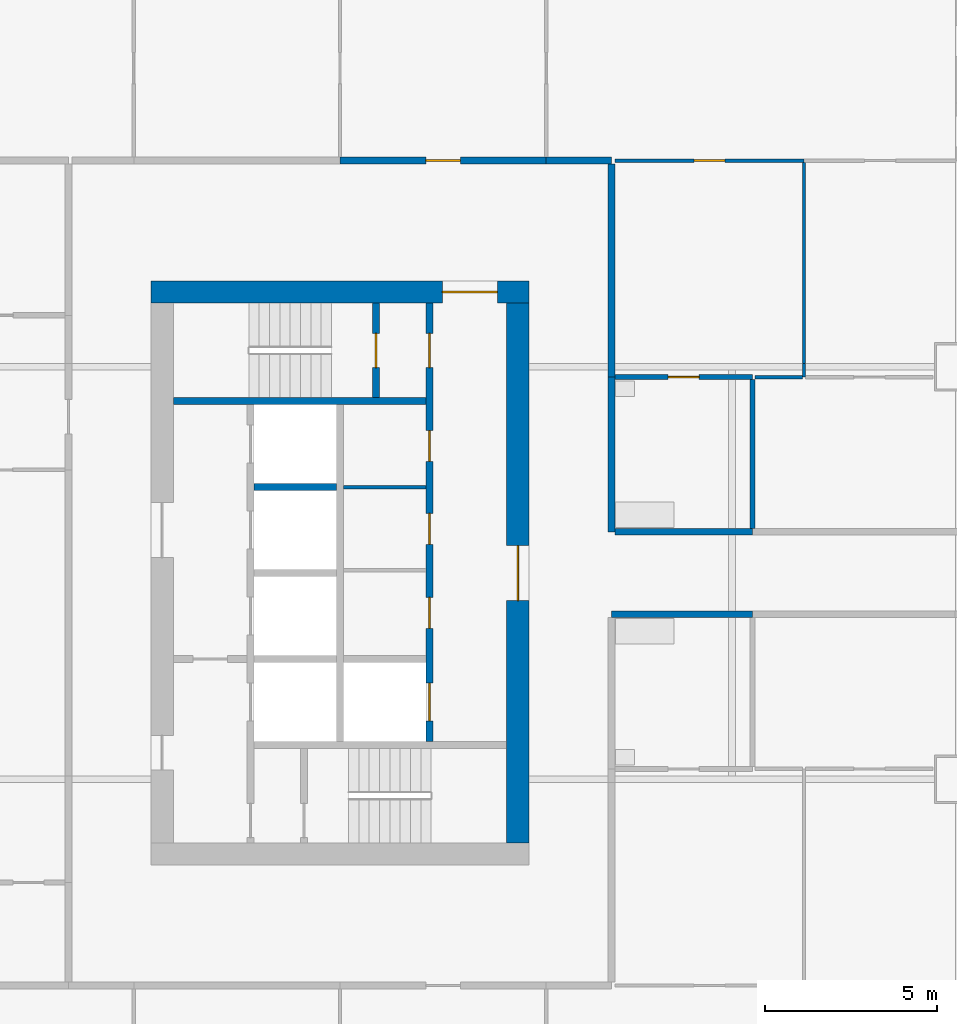
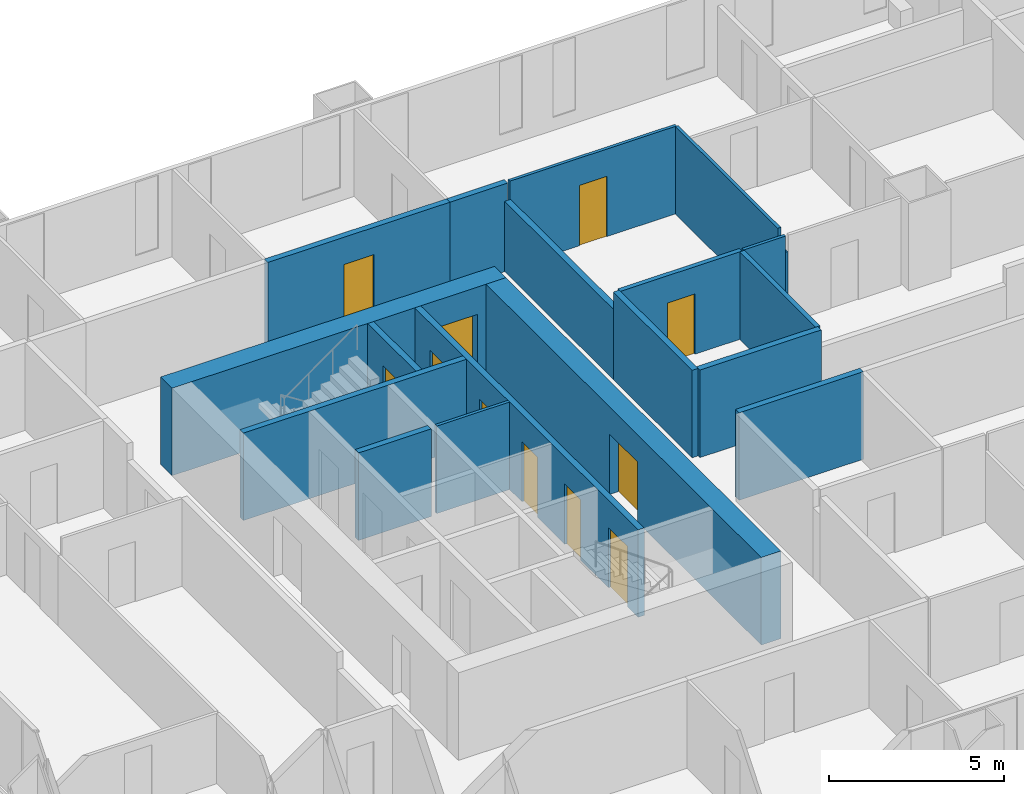
# One storey, part 4 of 11: 19 walls, 11 doors, 11 openings.
"""IFC4 building model written with IfcOpenShell, lengths in metres."""

from ifc_helpers import new_model, si_unit, direction, frame, frame_2d, origin, place, context, subcontext, project, spatial, rectangle, extrude, material, layer, layer_set, type_object, element, fill, save


model = new_model("IFC4")

# Units and contexts
model_context = context("Model", 3, precision=1e-05, world=origin(), true_north=direction((0.0, 1.0)))
body_context = subcontext(model_context, "Body", "Model", "MODEL_VIEW")
ifc_project = project(units=[si_unit("LENGTHUNIT", "METRE"), si_unit("AREAUNIT", "SQUARE_METRE"), si_unit("VOLUMEUNIT", "CUBIC_METRE"), si_unit("PLANEANGLEUNIT", "RADIAN"), si_unit("MASSUNIT", "GRAM", prefix="KILO")], contexts=[model_context])

# Site, building, storey
site_placement = place(None, origin())
site = spatial("IfcSite", under=ifc_project, at=site_placement, CompositionType="ELEMENT")
building_placement = place(site_placement, origin())
building = spatial("IfcBuilding", under=site, at=building_placement, Name="Kitamizu Gate Tower and Museum", CompositionType="ELEMENT")
storey_placement = place(building_placement, frame((0.0, 0.0, 124.199951171875)))
storey = spatial("IfcBuildingStorey", under=building, at=storey_placement, Name="L32", CompositionType="ELEMENT", Elevation=124.199951171875)

# Wall, opening, door
ifc_material_1 = material(Name="Concrete Fc60", Category="concrete")
ifc_layer_1 = layer(ifc_material_1, 0.64990234375)
ifc_layer_set_1 = layer_set([ifc_layer_1], Name="Concrete Fc60")
wall_type_1 = type_object("IfcWallType", Name="Core wall 650", PredefinedType="SHEAR", material=ifc_layer_set_1)
wall_1_placement = place(storey_placement, frame((12.5, 38.175048828125, 0.0), z_axis=(0.0, 0.0, 1.0), x_axis=(1.0, 0.0, 0.0)))
wall_1 = element("IfcWall", 1, at=wall_1_placement, inside=storey, type_object=wall_type_1, Name="Core wall WN", PredefinedType="SHEAR", context=body_context, shape_type="SweptSolid", body=[
    extrude(rectangle(XDim=11.0, YDim=0.64990234375, at=frame_2d((5.5, 0.0))), origin(), (0.0, 0.0, 1.0), 3.050048828125),
])
opening_1_placement = place(wall_1_placement, frame((8.47509765625, 0.0, 0.0)))
opening_1 = element("IfcOpeningElement", 2, at=opening_1_placement, cuts=wall_1, Name="Opening L32-055", PredefinedType="OPENING", context=body_context, shape_type="SweptSolid", body=[
    extrude(rectangle(XDim=1.60009765625, YDim=2.10009765625, at=frame_2d((0.800048828125, 1.050048828125))), frame((0.0, 0.3349609375, 0.0), z_axis=(0.0, -1.0, 0.0), x_axis=(1.0, 0.0, 0.0)), (0.0, 0.0, 1.0), 0.669921875),
])
ifc_material_2 = material(Name="Timber door set", Category="wood")
door_type_1 = type_object("IfcDoorType", Name="Entrance door 1600", OperationType="DOUBLE_DOOR_SINGLE_SWING", PredefinedType="DOOR", material=ifc_material_2)
door_1_placement = place(opening_1_placement, origin())
door_1 = element("IfcDoor", 3, at=door_1_placement, inside=storey, type_object=door_type_1, Name="Lobby door L32-055", OperationType="DOUBLE_DOOR_SINGLE_SWING", OverallHeight=2.10009765625, OverallWidth=1.60009765625, PredefinedType="DOOR", context=body_context, shape_type="SweptSolid", body=[
    extrude(rectangle(XDim=1.60009765625, YDim=2.10009765625, at=frame_2d((0.800048828125, 1.050048828125))), frame((0.0, 0.02490234375, 0.0), z_axis=(0.0, -1.0, 0.0), x_axis=(1.0, 0.0, 0.0)), (0.0, 0.0, 1.0), 0.050048828125),
])
fill(opening_1, door_1)

wall_2_placement = place(storey_placement, frame((23.175048828125, 22.14990234375, 0.0), z_axis=(0.0, 0.0, 1.0), x_axis=(0.0, 1.0, 0.0)))
wall_2 = element("IfcWall", 4, at=wall_2_placement, inside=storey, type_object=wall_type_1, Name="Core wall WARC", PredefinedType="SHEAR", context=body_context, shape_type="SweptSolid", body=[
    extrude(rectangle(XDim=15.7001953125, YDim=0.64990234375, at=frame_2d((7.85009765625, 0.0))), origin(), (0.0, 0.0, 1.0), 3.050048828125),
])
opening_2_placement = place(wall_2_placement, frame((7.050048828125, 0.0, 0.0)))
opening_2 = element("IfcOpeningElement", 5, at=opening_2_placement, cuts=wall_2, Name="Opening L32-056", PredefinedType="OPENING", context=body_context, shape_type="SweptSolid", body=[
    extrude(rectangle(XDim=1.60009765625, YDim=2.10009765625, at=frame_2d((0.800048828125, 1.050048828125))), frame((0.0, 0.3349609375, 0.0), z_axis=(0.0, -1.0, 0.0), x_axis=(1.0, 0.0, 0.0)), (0.0, 0.0, 1.0), 0.669921875),
])
door_2_placement = place(opening_2_placement, origin())
door_2 = element("IfcDoor", 6, at=door_2_placement, inside=storey, type_object=door_type_1, Name="Lobby door L32-056", OperationType="DOUBLE_DOOR_SINGLE_SWING", OverallHeight=2.10009765625, OverallWidth=1.60009765625, PredefinedType="DOOR", context=body_context, shape_type="SweptSolid", body=[
    extrude(rectangle(XDim=1.60009765625, YDim=2.10009765625, at=frame_2d((0.800048828125, 1.050048828125))), frame((0.0, 0.02490234375, 0.0), z_axis=(0.0, -1.0, 0.0), x_axis=(1.0, 0.0, 0.0)), (0.0, 0.0, 1.0), 0.050048828125),
])
fill(opening_2, door_2)

# Wall
ifc_material_3 = material(Name="Gypsum board on galvanised stud")
ifc_layer_2 = layer(ifc_material_3, 0.10009765625)
ifc_layer_set_2 = layer_set([ifc_layer_2], Name="Gypsum board on galvanised stud")
wall_type_2 = type_object("IfcWallType", Name="Partition 100", PredefinedType="PARTITIONING", material=ifc_layer_set_2)
wall_3_placement = place(storey_placement, frame((18.10009765625, 32.490966796875, 0.0), z_axis=(0.0, 0.0, 1.0), x_axis=(1.0, 0.0, 0.0)))
element("IfcWall", 7, at=wall_3_placement, inside=storey, type_object=wall_type_2, Name="Partition WPF2", PredefinedType="PARTITIONING", context=body_context, shape_type="SweptSolid", body=[
    extrude(rectangle(XDim=2.39990234375, YDim=0.10009765625, at=frame_2d((1.199951171875, 0.0))), origin(), (0.0, 0.0, 1.0), 3.050048828125),
])

# Wall, opening, door
ifc_material_4 = material(Name="Gypsum board on galvanised stud")
ifc_layer_3 = layer(ifc_material_4, 0.10009765625)
ifc_layer_set_3 = layer_set([ifc_layer_3], Name="Gypsum board on galvanised stud")
wall_type_3 = type_object("IfcWallType", Name="Partition 100 NOT RATED", PredefinedType="PARTITIONING", material=ifc_layer_set_3)
wall_4_placement = place(storey_placement, frame((26.0, 42.0, 0.0), z_axis=(0.0, 0.0, 1.0), x_axis=(1.0, 0.0, 0.0)))
wall_4 = element("IfcWall", 8, at=wall_4_placement, inside=storey, type_object=wall_type_3, Name="Partition L32-062", PredefinedType="PARTITIONING", context=body_context, shape_type="SweptSolid", body=[
    extrude(rectangle(XDim=5.5, YDim=0.10009765625, at=frame_2d((2.75, 0.0))), origin(), (0.0, 0.0, 1.0), 3.050048828125),
])
opening_3_placement = place(wall_4_placement, frame((2.300048828125, 0.0, 0.0)))
opening_3 = element("IfcOpeningElement", 9, at=opening_3_placement, cuts=wall_4, Name="Opening L32-022", PredefinedType="OPENING", context=body_context, shape_type="SweptSolid", body=[
    extrude(rectangle(XDim=0.89990234375, YDim=2.10009765625, at=frame_2d((0.449951171875, 1.050048828125))), frame((0.0, 0.06005859375, 0.0), z_axis=(0.0, -1.0, 0.0), x_axis=(1.0, 0.0, 0.0)), (0.0, 0.0, 1.0), 0.1201171875),
])
ifc_material_5 = material(Name="Timber door set", Category="wood")
door_type_2 = type_object("IfcDoorType", Name="Room door 900", OperationType="NOTDEFINED", PredefinedType="DOOR", material=ifc_material_5)
door_3_placement = place(opening_3_placement, frame((0.89990234375, 0.0, 0.0), x_axis=(-1.0, 0.0, 0.0)))
door_3 = element("IfcDoor", 10, at=door_3_placement, inside=storey, type_object=door_type_2, Name="Door L32-022", OperationType="SINGLE_SWING_RIGHT", OverallHeight=2.10009765625, OverallWidth=0.89990234375, PredefinedType="DOOR", context=body_context, shape_type="SweptSolid", body=[
    extrude(rectangle(XDim=0.89990234375, YDim=2.10009765625, at=frame_2d((0.449951171875, 1.050048828125))), frame((0.0, 0.02490234375, 0.0), z_axis=(0.0, -1.0, 0.0), x_axis=(1.0, 0.0, 0.0)), (0.0, 0.0, 1.0), 0.050048828125),
])
fill(opening_3, door_3)

# Walls
wall_5_placement = place(storey_placement, frame((31.5, 35.699951171875, 0.0), z_axis=(0.0, 0.0, 1.0), x_axis=(0.0, 1.0, 0.0)))
element("IfcWall", 11, at=wall_5_placement, inside=storey, type_object=wall_type_3, Name="Partition L32-070", PredefinedType="PARTITIONING", context=body_context, shape_type="SweptSolid", body=[
    extrude(rectangle(XDim=0.400146484375, YDim=0.10009765625, at=frame_2d((0.2001953125, 0.0))), origin(), (0.0, 0.0, 1.0), 2.449951171875),
])
wall_6_placement = place(storey_placement, frame((31.5, 36.10009765625, 0.0), z_axis=(0.0, 0.0, 1.0), x_axis=(0.0, 1.0, 0.0)))
element("IfcWall", 12, at=wall_6_placement, inside=storey, type_object=wall_type_3, Name="Partition L32-071", PredefinedType="PARTITIONING", context=body_context, shape_type="SweptSolid", body=[
    extrude(rectangle(XDim=5.849853515625, YDim=0.10009765625, at=frame_2d((2.9248046875, 0.0))), origin(), (0.0, 0.0, 1.0), 3.050048828125),
])
wall_7_placement = place(storey_placement, frame((30.074951171875, 35.699951171875, 0.0), z_axis=(0.0, 0.0, 1.0), x_axis=(1.0, 0.0, 0.0)))
element("IfcWall", 13, at=wall_7_placement, inside=storey, type_object=wall_type_3, Name="Partition L32-073", PredefinedType="PARTITIONING", context=body_context, shape_type="SweptSolid", body=[
    extrude(rectangle(XDim=1.375, YDim=0.10009765625, at=frame_2d((0.6875, 0.0))), origin(), (0.0, 0.0, 1.0), 3.050048828125),
])

# Wall, opening, door
ifc_material_6 = material(Name="Gypsum board on galvanised stud")
ifc_layer_4 = layer(ifc_material_6, 0.14990234375)
ifc_layer_set_4 = layer_set([ifc_layer_4], Name="Gypsum board on galvanised stud")
wall_type_4 = type_object("IfcWallType", Name="Partition 150", PredefinedType="PARTITIONING", material=ifc_layer_set_4)
wall_8_placement = place(storey_placement, frame((26.0, 35.699951171875, 0.0), z_axis=(0.0, 0.0, 1.0), x_axis=(1.0, 0.0, 0.0)))
wall_8 = element("IfcWall", 14, at=wall_8_placement, inside=storey, type_object=wall_type_4, Name="Partition L32-072", PredefinedType="PARTITIONING", context=body_context, shape_type="SweptSolid", body=[
    extrude(rectangle(XDim=4.0, YDim=0.14990234375, at=frame_2d((2.0, 0.0))), origin(), (0.0, 0.0, 1.0), 3.050048828125),
])
opening_4_placement = place(wall_8_placement, frame((1.550048828125, 0.0, 0.0)))
opening_4 = element("IfcOpeningElement", 15, at=opening_4_placement, cuts=wall_8, Name="Opening L32-028", PredefinedType="OPENING", context=body_context, shape_type="SweptSolid", body=[
    extrude(rectangle(XDim=0.89990234375, YDim=2.10009765625, at=frame_2d((0.449951171875, 1.050048828125))), frame((0.0, 0.0849609375, 0.0), z_axis=(0.0, -1.0, 0.0), x_axis=(1.0, 0.0, 0.0)), (0.0, 0.0, 1.0), 0.169921875),
])
ifc_material_7 = material(Name="Timber door set", Category="wood")
door_type_3 = type_object("IfcDoorType", Name="Bathroom door 900", OperationType="NOTDEFINED", PredefinedType="DOOR", material=ifc_material_7)
door_4_placement = place(opening_4_placement, frame((0.89990234375, 0.0, 0.0), x_axis=(-1.0, 0.0, 0.0)))
door_4 = element("IfcDoor", 16, at=door_4_placement, inside=storey, type_object=door_type_3, Name="Bathroom door L32-028", OperationType="SINGLE_SWING_RIGHT", OverallHeight=2.10009765625, OverallWidth=0.89990234375, PredefinedType="DOOR", context=body_context, shape_type="SweptSolid", body=[
    extrude(rectangle(XDim=0.89990234375, YDim=2.10009765625, at=frame_2d((0.449951171875, 1.050048828125))), frame((0.0, 0.02490234375, 0.0), z_axis=(0.0, -1.0, 0.0), x_axis=(1.0, 0.0, 0.0)), (0.0, 0.0, 1.0), 0.050048828125),
])
fill(opening_4, door_4)

# Walls
wall_9_placement = place(storey_placement, frame((30.0, 31.300048828125, 0.0), z_axis=(0.0, 0.0, 1.0), x_axis=(0.0, 1.0, 0.0)))
element("IfcWall", 17, at=wall_9_placement, inside=storey, type_object=wall_type_4, Name="Partition L32-080", PredefinedType="PARTITIONING", context=body_context, shape_type="SweptSolid", body=[
    extrude(rectangle(XDim=4.324951171875, YDim=0.14990234375, at=frame_2d((2.16259765625, 0.0))), origin(), (0.0, 0.0, 1.0), 3.050048828125),
])
ifc_material_8 = material(Name="Gypsum board on galvanised stud")
ifc_layer_5 = layer(ifc_material_8, 0.199951171875)
ifc_layer_set_5 = layer_set([ifc_layer_5], Name="Gypsum board on galvanised stud")
wall_type_5 = type_object("IfcWallType", Name="Partition 200", PredefinedType="PARTITIONING", material=ifc_layer_set_5)
wall_10_placement = place(storey_placement, frame((30.0, 28.800048828125, 0.0), z_axis=(0.0, 0.0, 1.0), x_axis=(-1.0, 0.0, 0.0)))
element("IfcWall", 18, at=wall_10_placement, inside=storey, type_object=wall_type_5, Name="Partition L32-029", PredefinedType="PARTITIONING", context=body_context, shape_type="SweptSolid", body=[
    extrude(rectangle(XDim=4.10009765625, YDim=0.199951171875, at=frame_2d((2.050048828125, 0.0))), origin(), (0.0, 0.0, 1.0), 3.050048828125),
])

# Wall, opening, door
wall_11_placement = place(storey_placement, frame((18.0, 42.0, 0.0), z_axis=(0.0, 0.0, 1.0), x_axis=(1.0, 0.0, 0.0)))
wall_11 = element("IfcWall", 19, at=wall_11_placement, inside=storey, type_object=wall_type_5, Name="Partition L32-059", PredefinedType="PARTITIONING", context=body_context, shape_type="SweptSolid", body=[
    extrude(rectangle(XDim=6.0, YDim=0.199951171875, at=frame_2d((3.0, 0.0))), origin(), (0.0, 0.0, 1.0), 3.050048828125),
])
opening_5_placement = place(wall_11_placement, frame((2.5, 0.0, 0.0)))
opening_5 = element("IfcOpeningElement", 20, at=opening_5_placement, cuts=wall_11, Name="Opening L32-020", PredefinedType="OPENING", context=body_context, shape_type="SweptSolid", body=[
    extrude(rectangle(XDim=1.0, YDim=2.10009765625, at=frame_2d((0.5, 1.050048828125))), frame((0.0, 0.10986328125, 0.0), z_axis=(0.0, -1.0, 0.0), x_axis=(1.0, 0.0, 0.0)), (0.0, 0.0, 1.0), 0.219970703125),
])
ifc_material_9 = material(Name="Timber door set", Category="wood")
door_type_4 = type_object("IfcDoorType", Name="Flat entrance door 1000", OperationType="NOTDEFINED", PredefinedType="DOOR", material=ifc_material_9)
door_5_placement = place(opening_5_placement, origin())
door_5 = element("IfcDoor", 21, at=door_5_placement, inside=storey, type_object=door_type_4, Name="Flat entrance door L32-020", OperationType="SINGLE_SWING_LEFT", OverallHeight=2.10009765625, OverallWidth=1.0, PredefinedType="DOOR", context=body_context, shape_type="SweptSolid", body=[
    extrude(rectangle(XDim=1.0, YDim=2.10009765625, at=frame_2d((0.5, 1.050048828125))), frame((0.0, 0.02490234375, 0.0), z_axis=(0.0, -1.0, 0.0), x_axis=(1.0, 0.0, 0.0)), (0.0, 0.0, 1.0), 0.050048828125),
])
fill(opening_5, door_5)

# Walls
wall_12_placement = place(storey_placement, frame((24.0, 42.0, 0.0), z_axis=(0.0, 0.0, 1.0), x_axis=(1.0, 0.0, 0.0)))
element("IfcWall", 22, at=wall_12_placement, inside=storey, type_object=wall_type_5, Name="Partition L32-064", PredefinedType="PARTITIONING", context=body_context, shape_type="SweptSolid", body=[
    extrude(rectangle(XDim=1.89990234375, YDim=0.199951171875, at=frame_2d((0.949951171875, 0.0))), origin(), (0.0, 0.0, 1.0), 3.050048828125),
])
wall_13_placement = place(storey_placement, frame((25.89990234375, 41.89990234375, 0.0), z_axis=(0.0, 0.0, 1.0), x_axis=(0.0, -1.0, 0.0)))
element("IfcWall", 23, at=wall_13_placement, inside=storey, type_object=wall_type_5, Name="Partition L32-074", PredefinedType="PARTITIONING", context=body_context, shape_type="SweptSolid", body=[
    extrude(rectangle(XDim=6.199951171875, YDim=0.199951171875, at=frame_2d((3.10009765625, 0.0))), origin(), (0.0, 0.0, 1.0), 2.449951171875),
])
wall_14_placement = place(storey_placement, frame((25.89990234375, 35.699951171875, 0.0), z_axis=(0.0, 0.0, 1.0), x_axis=(0.0, -1.0, 0.0)))
element("IfcWall", 24, at=wall_14_placement, inside=storey, type_object=wall_type_5, Name="Partition L32-081", PredefinedType="PARTITIONING", context=body_context, shape_type="SweptSolid", body=[
    extrude(rectangle(XDim=4.5, YDim=0.199951171875, at=frame_2d((2.25, 0.0))), origin(), (0.0, 0.0, 1.0), 3.050048828125),
])
wall_15_placement = place(storey_placement, frame((26.0, 31.199951171875, 0.0), z_axis=(0.0, 0.0, 1.0), x_axis=(1.0, 0.0, 0.0)))
element("IfcWall", 25, at=wall_15_placement, inside=storey, type_object=wall_type_5, Name="Partition L32-082", PredefinedType="PARTITIONING", context=body_context, shape_type="SweptSolid", body=[
    extrude(rectangle(XDim=4.0, YDim=0.199951171875, at=frame_2d((2.0, 0.0))), origin(), (0.0, 0.0, 1.0), 3.050048828125),
])

# Wall, openings, doors
ifc_material_10 = material(Name="Concrete Fc42", Category="concrete")
ifc_layer_6 = layer(ifc_material_10, 0.199951171875)
ifc_layer_set_6 = layer_set([ifc_layer_6], Name="Concrete Fc42")
wall_type_6 = type_object("IfcWallType", Name="Shaft wall 200", PredefinedType="SOLIDWALL", material=ifc_layer_set_6)
wall_16_placement = place(storey_placement, frame((20.60009765625, 25.10009765625, 0.0), z_axis=(0.0, 0.0, 1.0), x_axis=(0.0, 1.0, 0.0)))
wall_16 = element("IfcWall", 26, at=wall_16_placement, inside=storey, type_object=wall_type_6, Name="Shaft wall WEAST", PredefinedType="SOLIDWALL", context=body_context, shape_type="SweptSolid", body=[
    extrude(rectangle(XDim=12.75, YDim=0.199951171875, at=frame_2d((6.375, 0.0))), origin(), (0.0, 0.0, 1.0), 3.050048828125),
])
opening_6_placement = place(wall_16_placement, frame((0.60009765625, 0.0, 0.0)))
opening_6 = element("IfcOpeningElement", 27, at=opening_6_placement, cuts=wall_16, Name="Opening LD", PredefinedType="OPENING", context=body_context, shape_type="SweptSolid", body=[
    extrude(rectangle(XDim=1.10009765625, YDim=2.10009765625, at=frame_2d((0.550048828125, 1.050048828125))), frame((0.0, 0.10986328125, 0.0), z_axis=(0.0, -1.0, 0.0), x_axis=(1.0, 0.0, 0.0)), (0.0, 0.0, 1.0), 0.219970703125),
])
opening_7_placement = place(wall_16_placement, frame((10.875, 0.0, 0.0)))
opening_7 = element("IfcOpeningElement", 28, at=opening_7_placement, cuts=wall_16, Name="Opening L32-050", PredefinedType="OPENING", context=body_context, shape_type="SweptSolid", body=[
    extrude(rectangle(XDim=1.0, YDim=2.10009765625, at=frame_2d((0.5, 1.050048828125))), frame((0.0, 0.10986328125, 0.0), z_axis=(0.0, -1.0, 0.0), x_axis=(1.0, 0.0, 0.0)), (0.0, 0.0, 1.0), 0.219970703125),
])
opening_8_placement = place(wall_16_placement, frame((3.291015625, 0.0, 0.0)))
opening_8 = element("IfcOpeningElement", 29, at=opening_8_placement, cuts=wall_16, Name="Opening L32-057", PredefinedType="OPENING", context=body_context, shape_type="SweptSolid", body=[
    extrude(rectangle(XDim=0.89990234375, YDim=2.10009765625, at=frame_2d((0.449951171875, 1.050048828125))), frame((0.0, 0.10986328125, 0.0), z_axis=(0.0, -1.0, 0.0), x_axis=(1.0, 0.0, 0.0)), (0.0, 0.0, 1.0), 0.219970703125),
])
opening_9_placement = place(wall_16_placement, frame((5.736572265625, 0.0, 0.0)))
opening_9 = element("IfcOpeningElement", 30, at=opening_9_placement, cuts=wall_16, Name="Opening L32-058", PredefinedType="OPENING", context=body_context, shape_type="SweptSolid", body=[
    extrude(rectangle(XDim=0.89990234375, YDim=2.10009765625, at=frame_2d((0.449951171875, 1.050048828125))), frame((0.0, 0.10986328125, 0.0), z_axis=(0.0, -1.0, 0.0), x_axis=(1.0, 0.0, 0.0)), (0.0, 0.0, 1.0), 0.219970703125),
])
opening_10_placement = place(wall_16_placement, frame((8.1455078125, 0.0, 0.0)))
opening_10 = element("IfcOpeningElement", 31, at=opening_10_placement, cuts=wall_16, Name="Opening L32-059", PredefinedType="OPENING", context=body_context, shape_type="SweptSolid", body=[
    extrude(rectangle(XDim=0.89990234375, YDim=2.10009765625, at=frame_2d((0.449951171875, 1.050048828125))), frame((0.0, 0.10986328125, 0.0), z_axis=(0.0, -1.0, 0.0), x_axis=(1.0, 0.0, 0.0)), (0.0, 0.0, 1.0), 0.219970703125),
])
ifc_material_11 = material(Name="Hollow metal door set")
door_type_5 = type_object("IfcDoorType", Name="Fire door 1000", OperationType="NOTDEFINED", PredefinedType="DOOR", material=ifc_material_11)
door_6_placement = place(opening_7_placement, origin())
door_6 = element("IfcDoor", 32, at=door_6_placement, inside=storey, type_object=door_type_5, Name="Stair lobby door L32-050", OperationType="SINGLE_SWING_LEFT", OverallHeight=2.10009765625, OverallWidth=1.0, PredefinedType="DOOR", context=body_context, shape_type="SweptSolid", body=[
    extrude(rectangle(XDim=1.0, YDim=2.10009765625, at=frame_2d((0.5, 1.050048828125))), frame((0.0, 0.02490234375, 0.0), z_axis=(0.0, -1.0, 0.0), x_axis=(1.0, 0.0, 0.0)), (0.0, 0.0, 1.0), 0.050048828125),
])
fill(opening_7, door_6)
ifc_material_12 = material(Name="Hollow metal door set")
door_type_6 = type_object("IfcDoorType", Name="Landing door 1100", OperationType="SLIDING_TO_LEFT", PredefinedType="DOOR", material=ifc_material_12)
door_7_placement = place(opening_6_placement, origin())
door_7 = element("IfcDoor", 33, at=door_7_placement, inside=storey, type_object=door_type_6, Name="Landing door WSV1", OperationType="SLIDING_TO_LEFT", OverallHeight=2.10009765625, OverallWidth=1.10009765625, PredefinedType="DOOR", context=body_context, shape_type="SweptSolid", body=[
    extrude(rectangle(XDim=1.10009765625, YDim=2.10009765625, at=frame_2d((0.550048828125, 1.050048828125))), frame((0.0, 0.02490234375, 0.0), z_axis=(0.0, -1.0, 0.0), x_axis=(1.0, 0.0, 0.0)), (0.0, 0.0, 1.0), 0.050048828125),
])
fill(opening_6, door_7)
ifc_material_13 = material(Name="Timber door set", Category="wood")
door_type_7 = type_object("IfcDoorType", Name="Service door 900", OperationType="NOTDEFINED", PredefinedType="DOOR", material=ifc_material_13)
door_8_placement = place(opening_8_placement, origin())
door_8 = element("IfcDoor", 34, at=door_8_placement, inside=storey, type_object=door_type_7, Name="Service door L32-057", OperationType="SINGLE_SWING_LEFT", OverallHeight=2.10009765625, OverallWidth=0.89990234375, PredefinedType="DOOR", context=body_context, shape_type="SweptSolid", body=[
    extrude(rectangle(XDim=0.89990234375, YDim=2.10009765625, at=frame_2d((0.449951171875, 1.050048828125))), frame((0.0, 0.02490234375, 0.0), z_axis=(0.0, -1.0, 0.0), x_axis=(1.0, 0.0, 0.0)), (0.0, 0.0, 1.0), 0.050048828125),
])
fill(opening_8, door_8)
door_9_placement = place(opening_9_placement, origin())
door_9 = element("IfcDoor", 35, at=door_9_placement, inside=storey, type_object=door_type_7, Name="Service door L32-058", OperationType="SINGLE_SWING_RIGHT", OverallHeight=2.10009765625, OverallWidth=0.89990234375, PredefinedType="DOOR", context=body_context, shape_type="SweptSolid", body=[
    extrude(rectangle(XDim=0.89990234375, YDim=2.10009765625, at=frame_2d((0.449951171875, 1.050048828125))), frame((0.0, 0.02490234375, 0.0), z_axis=(0.0, -1.0, 0.0), x_axis=(1.0, 0.0, 0.0)), (0.0, 0.0, 1.0), 0.050048828125),
])
fill(opening_9, door_9)
door_10_placement = place(opening_10_placement, origin())
door_10 = element("IfcDoor", 36, at=door_10_placement, inside=storey, type_object=door_type_7, Name="Service door L32-059", OperationType="SINGLE_SWING_LEFT", OverallHeight=2.10009765625, OverallWidth=0.89990234375, PredefinedType="DOOR", context=body_context, shape_type="SweptSolid", body=[
    extrude(rectangle(XDim=0.89990234375, YDim=2.10009765625, at=frame_2d((0.449951171875, 1.050048828125))), frame((0.0, 0.02490234375, 0.0), z_axis=(0.0, -1.0, 0.0), x_axis=(1.0, 0.0, 0.0)), (0.0, 0.0, 1.0), 0.050048828125),
])
fill(opening_10, door_10)

# Wall
wall_17_placement = place(storey_placement, frame((13.14990234375, 35.0, 0.0), z_axis=(0.0, 0.0, 1.0), x_axis=(1.0, 0.0, 0.0)))
element("IfcWall", 37, at=wall_17_placement, inside=storey, type_object=wall_type_6, Name="Shaft wall WNB", PredefinedType="SOLIDWALL", context=body_context, shape_type="SweptSolid", body=[
    extrude(rectangle(XDim=7.35009765625, YDim=0.199951171875, at=frame_2d((3.675048828125, 0.0))), origin(), (0.0, 0.0, 1.0), 3.050048828125),
])

# Wall, opening, door
wall_18_placement = place(storey_placement, frame((19.050048828125, 35.10009765625, 0.0), z_axis=(0.0, 0.0, 1.0), x_axis=(0.0, 1.0, 0.0)))
wall_18 = element("IfcWall", 38, at=wall_18_placement, inside=storey, type_object=wall_type_6, Name="Shaft wall WNZ", PredefinedType="SOLIDWALL", context=body_context, shape_type="SweptSolid", body=[
    extrude(rectangle(XDim=2.75, YDim=0.199951171875, at=frame_2d((1.375, 0.0))), origin(), (0.0, 0.0, 1.0), 3.050048828125),
])
opening_11_placement = place(wall_18_placement, frame((0.875, 0.0, 0.0)))
opening_11 = element("IfcOpeningElement", 39, at=opening_11_placement, cuts=wall_18, Name="Opening L32-051", PredefinedType="OPENING", context=body_context, shape_type="SweptSolid", body=[
    extrude(rectangle(XDim=1.0, YDim=2.10009765625, at=frame_2d((0.5, 1.050048828125))), frame((0.0, 0.10986328125, 0.0), z_axis=(0.0, -1.0, 0.0), x_axis=(1.0, 0.0, 0.0)), (0.0, 0.0, 1.0), 0.219970703125),
])
door_11_placement = place(opening_11_placement, origin())
door_11 = element("IfcDoor", 40, at=door_11_placement, inside=storey, type_object=door_type_5, Name="Stair door L32-051", OperationType="SINGLE_SWING_RIGHT", OverallHeight=2.10009765625, OverallWidth=1.0, PredefinedType="DOOR", context=body_context, shape_type="SweptSolid", body=[
    extrude(rectangle(XDim=1.0, YDim=2.10009765625, at=frame_2d((0.5, 1.050048828125))), frame((0.0, 0.02490234375, 0.0), z_axis=(0.0, -1.0, 0.0), x_axis=(1.0, 0.0, 0.0)), (0.0, 0.0, 1.0), 0.050048828125),
])
fill(opening_11, door_11)

# Wall
wall_19_placement = place(storey_placement, frame((15.5, 32.5, 0.0), z_axis=(0.0, 0.0, 1.0), x_axis=(1.0, 0.0, 0.0)))
element("IfcWall", 41, at=wall_19_placement, inside=storey, type_object=wall_type_6, Name="Shaft wall WDVW2", PredefinedType="SOLIDWALL", context=body_context, shape_type="SweptSolid", body=[
    extrude(rectangle(XDim=2.39990234375, YDim=0.199951171875, at=frame_2d((1.199951171875, 0.0))), origin(), (0.0, 0.0, 1.0), 3.050048828125),
])

save(model, "model.ifc")
